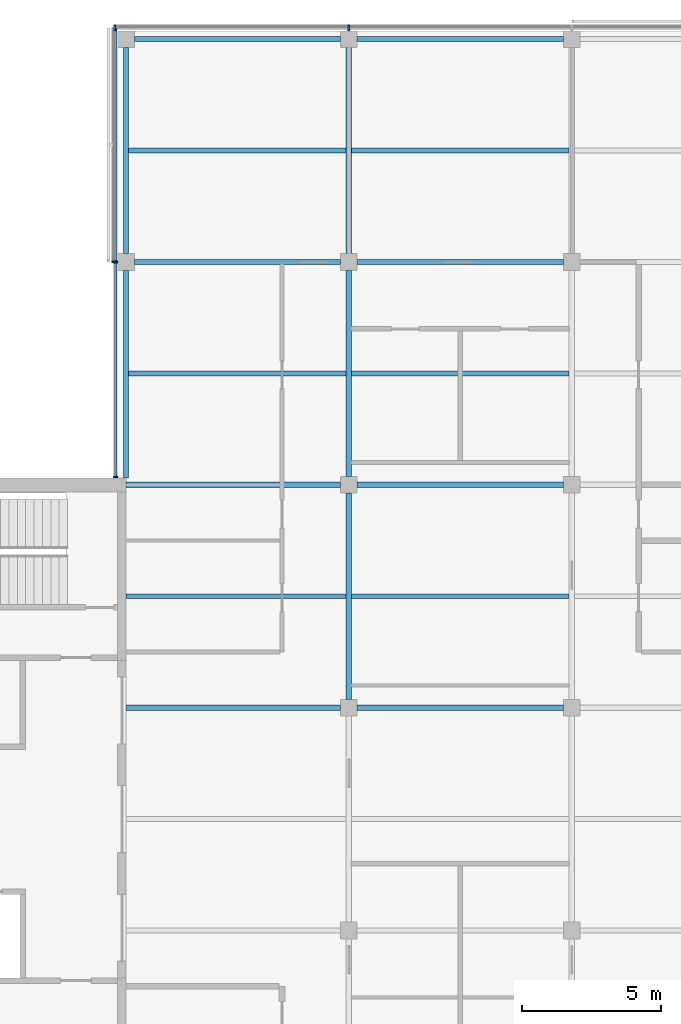
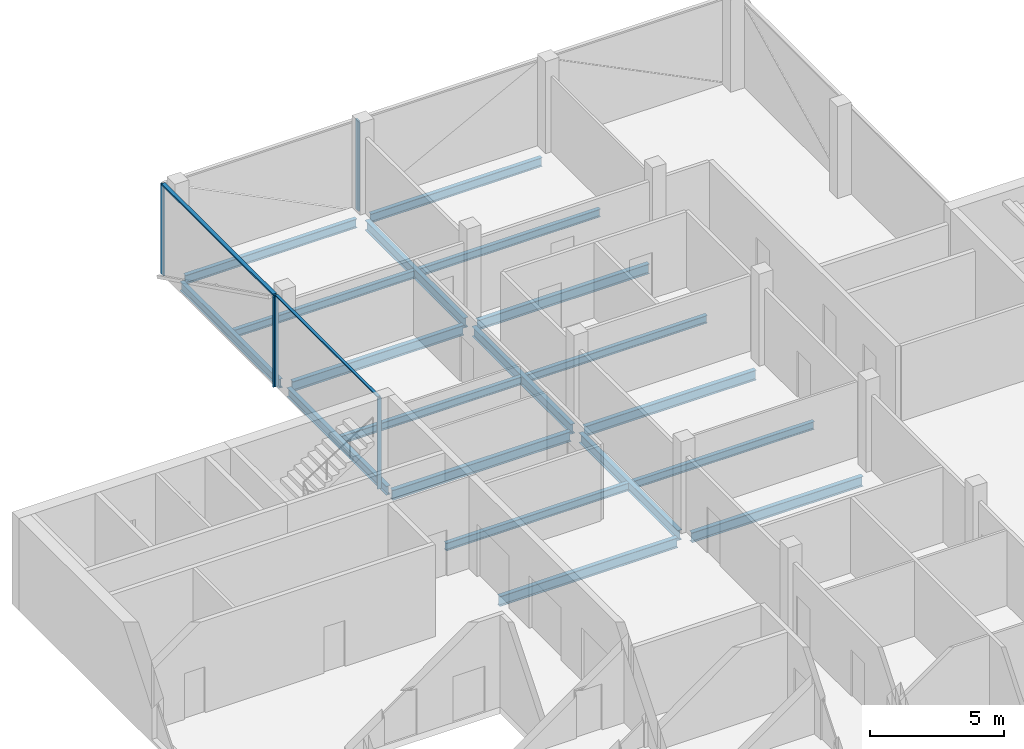
# One storey, part 5 of 16: 19 beams, 7 members, 3 elements without a shape of their own.
"""IFC4 building model written with IfcOpenShell, lengths in metres."""

from ifc_helpers import new_model, si_unit, direction, frame, origin, origin_2d, place, context, subcontext, project, spatial, rectangle, i_section, extrude, material, material_profile, profile_set, type_object, element, aggregate, save


model = new_model("IFC4")

# Units and contexts
model_context = context("Model", 3, precision=1e-05, world=origin(), true_north=direction((0.0, 1.0)))
body_context = subcontext(model_context, "Body", "Model", "MODEL_VIEW")
ifc_project = project(units=[si_unit("LENGTHUNIT", "METRE"), si_unit("AREAUNIT", "SQUARE_METRE"), si_unit("VOLUMEUNIT", "CUBIC_METRE"), si_unit("PLANEANGLEUNIT", "RADIAN"), si_unit("MASSUNIT", "GRAM", prefix="KILO")], contexts=[model_context])

# Site, building, storey
site_placement = place(None, origin())
site = spatial("IfcSite", under=ifc_project, at=site_placement, CompositionType="ELEMENT")
building_placement = place(site_placement, origin())
building = spatial("IfcBuilding", under=site, at=building_placement, Name="Crosswind Convention Tower", CompositionType="ELEMENT")
storey_placement = place(building_placement, frame((0.0, 0.0, 340.699951171875)))
storey = spatial("IfcBuildingStorey", under=building, at=storey_placement, Name="L74", CompositionType="ELEMENT", Elevation=340.699951171875)

# Beams
ifc_material_1 = material(Name="Steel S355", Category="steel")
ifc_material_profile_1 = material_profile(ifc_material_1, i_section(OverallWidth=0.177734375, OverallDepth=0.406494140625, WebThickness=0.0078125, FlangeThickness=0.0126953125, FilletRadius=0.01025390625, at=origin_2d()), Name="UB 406x178x60")
ifc_profile_set_1 = profile_set([ifc_material_profile_1], Name="Steel S355")
beam_type_1 = type_object("IfcBeamType", Name="Edge beam UB 406x178x60", PredefinedType="SPANDREL", material=ifc_profile_set_1)
beam_1_placement = place(storey_placement, frame((113.0, 112.25, -0.503173828125), z_axis=(0.0, 1.0, 0.0), x_axis=(-1.0, 0.0, 0.0)))
element("IfcBeam", 1, at=beam_1_placement, inside=storey, type_object=beam_type_1, Name="B15 L74 edge beam 3", PredefinedType="SPANDREL", context=body_context, shape_type="SweptSolid", body=[
    extrude(i_section(OverallWidth=0.177734375, OverallDepth=0.406494140625, WebThickness=0.0078125, FlangeThickness=0.0126953125, FilletRadius=0.01025390625, at=origin_2d()), origin(), (0.0, 0.0, 1.0), 7.449951171875),
])
for number, where, z_axis, x_axis, name in (
    (2, (113.0, 120.300048828125, -0.503173828125), (0.0, 1.0, 0.0), (-1.0, 0.0, 0.0), "B15 L74 edge beam 4"),
    (3, (113.300048828125, 128.0, -0.503173828125), (1.0, 0.0, 0.0), (0.0, 1.0, 0.0), "B15 L74 edge beam 6"),
    (4, (121.300048828125, 128.0, -0.503173828125), (1.0, 0.0, 0.0), (0.0, 1.0, 0.0), "B15 L74 edge beam 8"),
):
    element("IfcBeam", number, at=place(storey_placement, frame(where, z_axis=z_axis, x_axis=x_axis)), inside=storey, type_object=beam_type_1, Name=name, PredefinedType="SPANDREL", context=body_context, shape_type="SweptSolid", body=[
        extrude(i_section(OverallWidth=0.177734375, OverallDepth=0.406494140625, WebThickness=0.0078125, FlangeThickness=0.0126953125, FilletRadius=0.01025390625, at=origin_2d()), origin(), (0.0, 0.0, 1.0), 7.39990234375),
    ])
ifc_material_profile_2 = material_profile(ifc_material_1, i_section(OverallWidth=0.18994140625, OverallDepth=0.45361328125, WebThickness=0.008544921875, FlangeThickness=0.0126953125, FilletRadius=0.01025390625, at=origin_2d()), Name="UB 457x191x67")
ifc_profile_set_2 = profile_set([ifc_material_profile_2], Name="Steel S355")
beam_type_2 = type_object("IfcBeamType", Name="Girder UB 457x191x67", PredefinedType="BEAM", material=ifc_profile_set_2)
for number, where, z_axis, x_axis, name in (
    (5, (113.300048828125, 120.0, -0.52685546875), (1.0, 0.0, 0.0), (0.0, 1.0, 0.0), "B1 L74 girder 2"),
    (6, (121.0, 104.300048828125, -0.52685546875), (0.0, 1.0, 0.0), (-1.0, 0.0, 0.0), "B1 L74 girder 7"),
    (7, (121.0, 112.300048828125, -0.52685546875), (0.0, 1.0, 0.0), (-1.0, 0.0, 0.0), "B1 L74 girder 8"),
    (8, (121.0, 120.300048828125, -0.52685546875), (0.0, 1.0, 0.0), (-1.0, 0.0, 0.0), "B1 L74 girder 9"),
    (9, (121.300048828125, 104.0, -0.52685546875), (1.0, 0.0, 0.0), (0.0, 1.0, 0.0), "B1 L74 girder 13"),
    (10, (121.300048828125, 112.0, -0.52685546875), (1.0, 0.0, 0.0), (0.0, 1.0, 0.0), "B1 L74 girder 14"),
    (11, (121.300048828125, 120.0, -0.52685546875), (1.0, 0.0, 0.0), (0.0, 1.0, 0.0), "B1 L74 girder 15"),
):
    element("IfcBeam", number, at=place(storey_placement, frame(where, z_axis=z_axis, x_axis=x_axis)), inside=storey, type_object=beam_type_2, Name=name, PredefinedType="BEAM", context=body_context, shape_type="SweptSolid", body=[
        extrude(i_section(OverallWidth=0.18994140625, OverallDepth=0.45361328125, WebThickness=0.008544921875, FlangeThickness=0.0126953125, FilletRadius=0.01025390625, at=origin_2d()), origin(), (0.0, 0.0, 1.0), 7.39990234375),
    ])
ifc_material_profile_3 = material_profile(ifc_material_1, i_section(OverallWidth=0.1904296875, OverallDepth=0.457275390625, WebThickness=0.009033203125, FlangeThickness=0.014404296875, FilletRadius=0.01025390625, at=origin_2d()), Name="UB 457x191x75")
ifc_profile_set_3 = profile_set([ifc_material_profile_3], Name="Steel S355")
beam_type_3 = type_object("IfcBeamType", Name="Girder at core wall UB 457x191x75", PredefinedType="BEAM", material=ifc_profile_set_3)
for number, where, z_axis, x_axis, name in (
    (12, (113.0, 104.0, -0.528564453125), (1.0, 0.0, 0.0), (0.0, 1.0, 0.0), "B22 L74 girder at core wall 3"),
    (13, (113.0, 112.0, -0.528564453125), (1.0, 0.0, 0.0), (0.0, 1.0, 0.0), "B22 L74 girder at core wall 4"),
):
    element("IfcBeam", number, at=place(storey_placement, frame(where, z_axis=z_axis, x_axis=x_axis)), inside=storey, type_object=beam_type_3, Name=name, PredefinedType="BEAM", context=body_context, shape_type="SweptSolid", body=[
        extrude(i_section(OverallWidth=0.1904296875, OverallDepth=0.457275390625, WebThickness=0.009033203125, FlangeThickness=0.014404296875, FilletRadius=0.01025390625, at=origin_2d()), origin(), (0.0, 0.0, 1.0), 7.699951171875),
    ])

# Curtain wall, members
ifc_material_2 = material(Name="Aluminium unitised curtain wall", Category="aluminium")
curtain_wall_type_1 = type_object("IfcCurtainWallType", Name="CORE END SLOT WALL 160", PredefinedType="USERDEFINED", material=ifc_material_2)
curtain_wall_1_placement = place(storey_placement, origin())
curtain_wall_1 = element("IfcCurtainWall", 14, at=curtain_wall_1_placement, inside=storey, type_object=curtain_wall_type_1, Name="CW6 L74 N-W.1-2 slot", ObjectType="UNITISED", PredefinedType="USERDEFINED")
ifc_material_3 = material(Name="Aluminium mullion", Category="aluminium")
ifc_material_profile_4 = material_profile(ifc_material_3, rectangle(XDim=0.159912109375, YDim=0.050048828125, at=origin_2d()), Name="AL 160X50")
ifc_profile_set_4 = profile_set([ifc_material_profile_4], Name="Aluminium mullion")
member_type_1 = type_object("IfcMemberType", Name="MULLION 50X160", PredefinedType="MULLION", material=ifc_profile_set_4)
member_1_placement = place(storey_placement, frame((112.6201171875, 119.97509765625, -0.300048828125), z_axis=(0.0, 0.0, 1.0), x_axis=(-1.0, 0.0, 0.0)))
member_1 = element("IfcMember", 15, at=member_1_placement, type_object=member_type_1, Name="CW6 mullion 1", PredefinedType="MULLION", context=body_context, shape_type="SweptSolid", body=[
    extrude(rectangle(XDim=0.159912109375, YDim=0.050048828125, at=origin_2d()), origin(), (0.0, 0.0, 1.0), 4.150146484375),
])
member_2_placement = place(storey_placement, frame((112.6201171875, 112.27490234375, -0.300048828125), z_axis=(0.0, 0.0, 1.0), x_axis=(-1.0, 0.0, 0.0)))
member_2 = element("IfcMember", 16, at=member_2_placement, type_object=member_type_1, Name="CW6 mullion 2", PredefinedType="MULLION", context=body_context, shape_type="SweptSolid", body=[
    extrude(rectangle(XDim=0.159912109375, YDim=0.050048828125, at=origin_2d()), origin(), (0.0, 0.0, 1.0), 4.150146484375),
])

curtain_wall_type_2 = type_object("IfcCurtainWallType", Name="OFFICE UNITISED WALL 220", PredefinedType="USERDEFINED", material=ifc_material_2)
curtain_wall_2_placement = place(storey_placement, origin())
curtain_wall_2 = element("IfcCurtainWall", 17, at=curtain_wall_2_placement, inside=storey, type_object=curtain_wall_type_2, Name="CW3 L74 N-TIP 1", ObjectType="UNITISED", PredefinedType="USERDEFINED")
ifc_material_profile_5 = material_profile(ifc_material_3, rectangle(XDim=0.219970703125, YDim=0.070068359375, at=origin_2d()), Name="AL 220X70")
ifc_profile_set_5 = profile_set([ifc_material_profile_5], Name="Aluminium mullion")
member_type_2 = type_object("IfcMemberType", Name="MULLION 70X220", PredefinedType="MULLION", material=ifc_profile_set_5)
member_3_placement = place(storey_placement, frame((121.0, 128.409912109375, -0.300048828125), z_axis=(0.0, 0.0, 1.0), x_axis=(0.0, 1.0, 0.0)))
member_3 = element("IfcMember", 18, at=member_3_placement, type_object=member_type_2, Name="CW3 mullion 3", PredefinedType="MULLION", context=body_context, shape_type="SweptSolid", body=[
    extrude(rectangle(XDim=0.219970703125, YDim=0.070068359375, at=origin_2d()), origin(), (0.0, 0.0, 1.0), 4.130126953125),
])
member_4_placement = place(storey_placement, frame((112.590087890625, 128.409912109375, -0.300048828125), z_axis=(0.0, 0.0, 1.0), x_axis=(0.0, 1.0, 0.0)))
member_4 = element("IfcMember", 19, at=member_4_placement, type_object=member_type_2, Name="CW3 mullion 4", PredefinedType="MULLION", context=body_context, shape_type="SweptSolid", body=[
    extrude(rectangle(XDim=0.219970703125, YDim=0.070068359375, at=origin_2d()), origin(), (0.0, 0.0, 1.0), 4.130126953125),
])
aggregate(curtain_wall_2, [member_3, member_4])

# Curtain wall, member
curtain_wall_3_placement = place(storey_placement, origin())
curtain_wall_3 = element("IfcCurtainWall", 20, at=curtain_wall_3_placement, inside=storey, type_object=curtain_wall_type_2, Name="CW3 L74 N-W 1", ObjectType="UNITISED", PredefinedType="USERDEFINED")
member_5_placement = place(storey_placement, frame((112.590087890625, 120.0, -0.300048828125), z_axis=(0.0, 0.0, 1.0), x_axis=(-1.0, 0.0, 0.0)))
member_5 = element("IfcMember", 21, at=member_5_placement, type_object=member_type_2, Name="CW3 mullion 2", PredefinedType="MULLION", context=body_context, shape_type="SweptSolid", body=[
    extrude(rectangle(XDim=0.219970703125, YDim=0.070068359375, at=origin_2d()), origin(), (0.0, 0.0, 1.0), 4.130126953125),
])

# Beams
ifc_material_profile_6 = material_profile(ifc_material_1, i_section(OverallWidth=0.17138671875, OverallDepth=0.355712890625, WebThickness=0.00732421875, FlangeThickness=0.011474609375, FilletRadius=0.01025390625, at=origin_2d()), Name="UB 356x171x51")
ifc_profile_set_6 = profile_set([ifc_material_profile_6], Name="Steel S355")
beam_type_4 = type_object("IfcBeamType", Name="Secondary beam UB 356x171x51", PredefinedType="JOIST", material=ifc_profile_set_6)
beam_2_placement = place(storey_placement, frame((113.0, 108.0, -0.477783203125), z_axis=(1.0, 0.0, 0.0), x_axis=(0.0, 1.0, 0.0)))
element("IfcBeam", 22, at=beam_2_placement, inside=storey, type_object=beam_type_4, Name="B8 L74 secondary beam 3", PredefinedType="JOIST", context=body_context, shape_type="SweptSolid", body=[
    extrude(i_section(OverallWidth=0.17138671875, OverallDepth=0.355712890625, WebThickness=0.00732421875, FlangeThickness=0.011474609375, FilletRadius=0.01025390625, at=origin_2d()), origin(), (0.0, 0.0, 1.0), 7.905029296875),
])
for number, where, z_axis, x_axis, name in (
    (23, (113.0888671875, 116.0, -0.477783203125), (1.0, 0.0, 0.0), (0.0, 1.0, 0.0), "B8 L74 secondary beam 6"),
    (24, (113.0888671875, 124.0, -0.477783203125), (1.0, 0.0, 0.0), (0.0, 1.0, 0.0), "B8 L74 secondary beam 7"),
):
    element("IfcBeam", number, at=place(storey_placement, frame(where, z_axis=z_axis, x_axis=x_axis)), inside=storey, type_object=beam_type_4, Name=name, PredefinedType="JOIST", context=body_context, shape_type="SweptSolid", body=[
        extrude(i_section(OverallWidth=0.17138671875, OverallDepth=0.355712890625, WebThickness=0.00732421875, FlangeThickness=0.011474609375, FilletRadius=0.01025390625, at=origin_2d()), origin(), (0.0, 0.0, 1.0), 7.816162109375),
    ])
for number, where, z_axis, x_axis, name in (
    (25, (121.094970703125, 108.0, -0.477783203125), (1.0, 0.0, 0.0), (0.0, 1.0, 0.0), "B8 L74 secondary beam 12"),
    (26, (121.094970703125, 116.0, -0.477783203125), (1.0, 0.0, 0.0), (0.0, 1.0, 0.0), "B8 L74 secondary beam 13"),
    (27, (121.094970703125, 124.0, -0.477783203125), (1.0, 0.0, 0.0), (0.0, 1.0, 0.0), "B8 L74 secondary beam 14"),
):
    element("IfcBeam", number, at=place(storey_placement, frame(where, z_axis=z_axis, x_axis=x_axis)), inside=storey, type_object=beam_type_4, Name=name, PredefinedType="JOIST", context=body_context, shape_type="SweptSolid", body=[
        extrude(i_section(OverallWidth=0.17138671875, OverallDepth=0.355712890625, WebThickness=0.00732421875, FlangeThickness=0.011474609375, FilletRadius=0.01025390625, at=origin_2d()), origin(), (0.0, 0.0, 1.0), 7.81005859375),
    ])

# Member
ifc_material_4 = material(Name="Aluminium transom", Category="aluminium")
ifc_material_profile_7 = material_profile(ifc_material_4, rectangle(XDim=0.1201171875, YDim=0.050048828125, at=origin_2d()), Name="AL 120X50")
ifc_profile_set_7 = profile_set([ifc_material_profile_7], Name="Aluminium transom")
member_type_3 = type_object("IfcMemberType", Name="TRANSOM 50X120", PredefinedType="USERDEFINED", material=ifc_profile_set_7)
member_6_placement = place(storey_placement, frame((112.6201171875, 119.949951171875, 3.875), z_axis=(0.0, -1.0, 0.0), x_axis=(1.0, 0.0, 0.0)))
member_6 = element("IfcMember", 28, at=member_6_placement, type_object=member_type_3, Name="CW6 transom", ObjectType="TRANSOM", PredefinedType="USERDEFINED", context=body_context, shape_type="SweptSolid", body=[
    extrude(rectangle(XDim=0.1201171875, YDim=0.050048828125, at=origin_2d()), origin(), (0.0, 0.0, 1.0), 7.64990234375),
])

aggregate(curtain_wall_1, [member_1, member_2, member_6])

ifc_material_profile_8 = material_profile(ifc_material_4, rectangle(XDim=0.159912109375, YDim=0.070068359375, at=origin_2d()), Name="AL 160X70")
ifc_profile_set_8 = profile_set([ifc_material_profile_8], Name="Aluminium transom")
member_type_4 = type_object("IfcMemberType", Name="TRANSOM 70X160", PredefinedType="USERDEFINED", material=ifc_profile_set_8)
member_7_placement = place(storey_placement, frame((112.590087890625, 128.375, 3.864990234375), z_axis=(0.0, -1.0, 0.0), x_axis=(1.0, 0.0, 0.0)))
member_7 = element("IfcMember", 29, at=member_7_placement, type_object=member_type_4, Name="CW3 transom", ObjectType="TRANSOM", PredefinedType="USERDEFINED", context=body_context, shape_type="SweptSolid", body=[
    extrude(rectangle(XDim=0.159912109375, YDim=0.070068359375, at=origin_2d()), origin(), (0.0, 0.0, 1.0), 8.340087890625),
])

aggregate(curtain_wall_3, [member_5, member_7])

save(model, "model.ifc")
